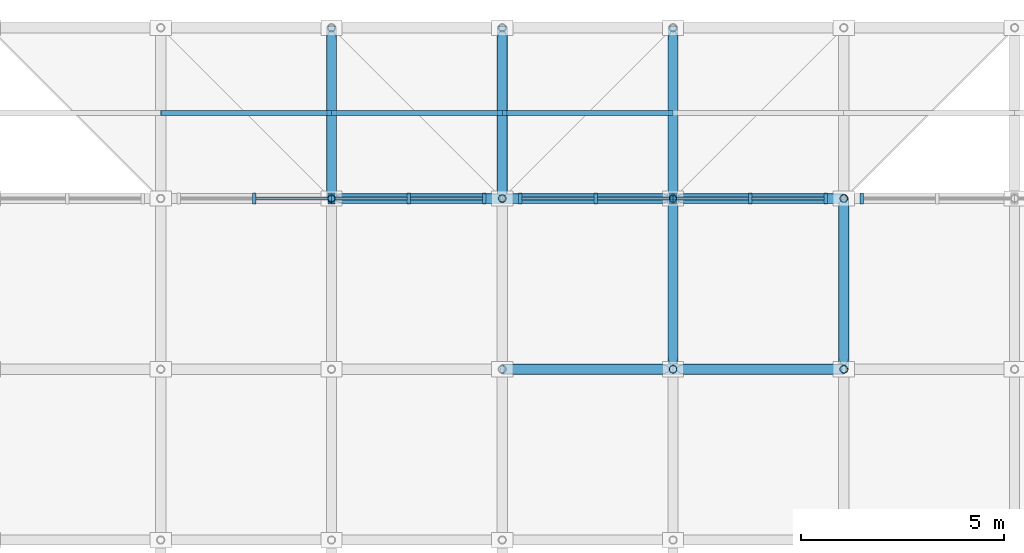
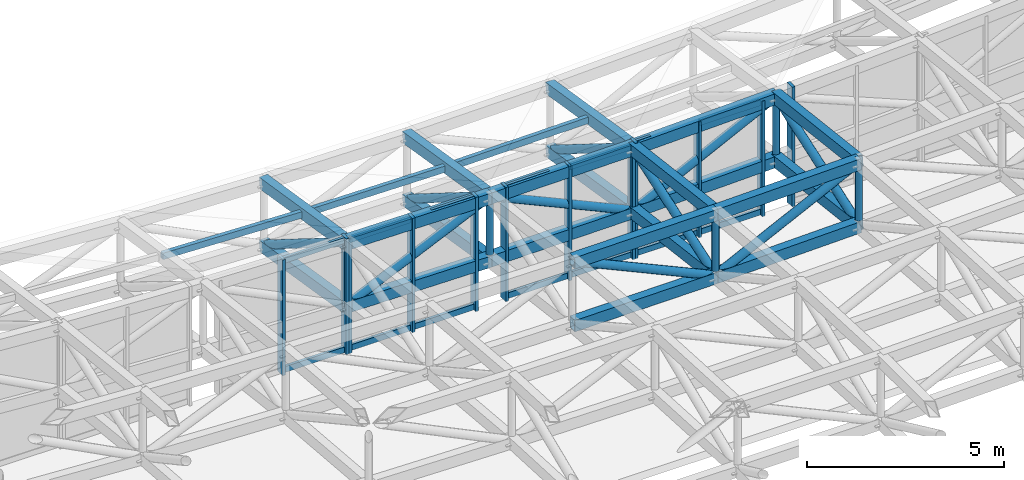
# One storey, part 52 of 111: 65 members, 5 elements without a shape of their own.
"""IFC4 building model written with IfcOpenShell, lengths in metres."""

from ifc_helpers import new_model, si_unit, direction, frame, origin, origin_2d, place, context, subcontext, project, spatial, rectangle, hollow_rectangle, hollow_circle, extrude, material, material_profile, profile_set, type_object, element, aggregate, save


model = new_model("IFC4")

# Units and contexts
model_context = context("Model", 3, precision=1e-05, world=origin(), true_north=direction((0.0, 1.0)))
body_context = subcontext(model_context, "Body", "Model", "MODEL_VIEW")
ifc_project = project(units=[si_unit("LENGTHUNIT", "METRE"), si_unit("AREAUNIT", "SQUARE_METRE"), si_unit("VOLUMEUNIT", "CUBIC_METRE"), si_unit("PLANEANGLEUNIT", "RADIAN"), si_unit("MASSUNIT", "GRAM", prefix="KILO")], contexts=[model_context])

# Site, building, storey
site_placement = place(None, origin())
site = spatial("IfcSite", under=ifc_project, at=site_placement, CompositionType="ELEMENT")
building_placement = place(site_placement, origin())
building = spatial("IfcBuilding", under=site, at=building_placement, Name="Cumbredor Promenade Congress Hotel", CompositionType="ELEMENT")
storey_placement = place(building_placement, frame((0.0, 0.0, 15.1201171875)))
storey = spatial("IfcBuildingStorey", under=building, at=storey_placement, Name="L04", CompositionType="ELEMENT", Elevation=15.1201171875)

# Curtain wall, members
ifc_material_1 = material(Name="Thermally broken anodized aluminium and low-E glass", Category="aluminium")
curtain_wall_type = type_object("IfcCurtainWallType", Name="Stepped Pavilion Clerestory Curtain Wall CW-06", PredefinedType="NOTDEFINED", material=ifc_material_1)
curtain_wall_1_placement = place(storey_placement, origin())
curtain_wall_1 = element("IfcCurtainWall", 1, at=curtain_wall_1_placement, inside=storey, type_object=curtain_wall_type, Name="Pre-Function and Breakout Meeting Forum N Glazed Clerestory 9", PredefinedType="NOTDEFINED")
ifc_material_2 = material(Name="Thermally broken anodized aluminium", Category="aluminium")
ifc_material_profile_1 = material_profile(ifc_material_2, rectangle(XDim=0.0849609375, YDim=0.260009765625, at=origin_2d()), Name="ALU MULLION CLERESTORY 85x260")
ifc_profile_set_1 = profile_set([ifc_material_profile_1], Name="Thermally broken anodized aluminium")
member_type_1 = type_object("IfcMemberType", Name="Curtain Wall Mullion ML-04", PredefinedType="MULLION", material=ifc_profile_set_1)
member_1_placement = place(storey_placement, frame((128.300048828125, 117.60009765625, -0.01806640625), z_axis=(0.0, 0.0, 1.0), x_axis=(1.0, 0.0, 0.0)))
member_1 = element("IfcMember", 2, at=member_1_placement, type_object=member_type_1, Name="Pre-Function and Breakout Meeting Forum N Glazed Clerestory 9 Mullion 2", PredefinedType="MULLION", context=body_context, shape_type="SweptSolid", body=[
    extrude(rectangle(XDim=0.0849609375, YDim=0.260009765625, at=origin_2d()), origin(), (0.0, 0.0, 1.0), 3.5888671875),
])
member_2_placement = place(storey_placement, frame((130.159912109375, 117.60009765625, -0.01806640625), z_axis=(0.0, 0.0, 1.0), x_axis=(1.0, 0.0, 0.0)))
member_2 = element("IfcMember", 3, at=member_2_placement, type_object=member_type_1, Name="Pre-Function and Breakout Meeting Forum N Glazed Clerestory 9 Mullion 3", PredefinedType="MULLION", context=body_context, shape_type="SweptSolid", body=[
    extrude(rectangle(XDim=0.0849609375, YDim=0.260009765625, at=origin_2d()), origin(), (0.0, 0.0, 1.0), 3.5888671875),
])

curtain_wall_2_placement = place(storey_placement, origin())
curtain_wall_2 = element("IfcCurtainWall", 4, at=curtain_wall_2_placement, inside=storey, type_object=curtain_wall_type, Name="Pre-Function and Breakout Meeting Forum N Glazed Clerestory 10", PredefinedType="NOTDEFINED")
member_3_placement = place(storey_placement, frame((130.239990234375, 117.60009765625, -0.01806640625), z_axis=(0.0, 0.0, 1.0), x_axis=(1.0, 0.0, 0.0)))
member_3 = element("IfcMember", 5, at=member_3_placement, type_object=member_type_1, Name="Pre-Function and Breakout Meeting Forum N Glazed Clerestory 10 Mullion 1", PredefinedType="MULLION", context=body_context, shape_type="SweptSolid", body=[
    extrude(rectangle(XDim=0.0849609375, YDim=0.260009765625, at=origin_2d()), origin(), (0.0, 0.0, 1.0), 3.546630859375),
])
member_4_placement = place(storey_placement, frame((132.10009765625, 117.60009765625, -0.01806640625), z_axis=(0.0, 0.0, 1.0), x_axis=(1.0, 0.0, 0.0)))
member_4 = element("IfcMember", 6, at=member_4_placement, type_object=member_type_1, Name="Pre-Function and Breakout Meeting Forum N Glazed Clerestory 10 Mullion 2", PredefinedType="MULLION", context=body_context, shape_type="SweptSolid", body=[
    extrude(rectangle(XDim=0.0849609375, YDim=0.260009765625, at=origin_2d()), origin(), (0.0, 0.0, 1.0), 3.546630859375),
])
member_5_placement = place(storey_placement, frame((133.9599609375, 117.60009765625, -0.01806640625), z_axis=(0.0, 0.0, 1.0), x_axis=(1.0, 0.0, 0.0)))
member_5 = element("IfcMember", 7, at=member_5_placement, type_object=member_type_1, Name="Pre-Function and Breakout Meeting Forum N Glazed Clerestory 10 Mullion 3", PredefinedType="MULLION", context=body_context, shape_type="SweptSolid", body=[
    extrude(rectangle(XDim=0.0849609375, YDim=0.260009765625, at=origin_2d()), origin(), (0.0, 0.0, 1.0), 3.546630859375),
])

curtain_wall_3_placement = place(storey_placement, origin())
curtain_wall_3 = element("IfcCurtainWall", 8, at=curtain_wall_3_placement, inside=storey, type_object=curtain_wall_type, Name="Pre-Function and Breakout Meeting Forum N Glazed Clerestory 11", PredefinedType="NOTDEFINED")
member_6_placement = place(storey_placement, frame((134.840087890625, 117.60009765625, -0.01806640625), z_axis=(0.0, 0.0, 1.0), x_axis=(1.0, 0.0, 0.0)))
member_6 = element("IfcMember", 9, at=member_6_placement, type_object=member_type_1, Name="Pre-Function and Breakout Meeting Forum N Glazed Clerestory 11 Mullion 1", PredefinedType="MULLION", context=body_context, shape_type="SweptSolid", body=[
    extrude(rectangle(XDim=0.0849609375, YDim=0.260009765625, at=origin_2d()), origin(), (0.0, 0.0, 1.0), 3.546630859375),
])
member_7_placement = place(storey_placement, frame((136.699951171875, 117.60009765625, -0.01806640625), z_axis=(0.0, 0.0, 1.0), x_axis=(1.0, 0.0, 0.0)))
member_7 = element("IfcMember", 10, at=member_7_placement, type_object=member_type_1, Name="Pre-Function and Breakout Meeting Forum N Glazed Clerestory 11 Mullion 2", PredefinedType="MULLION", context=body_context, shape_type="SweptSolid", body=[
    extrude(rectangle(XDim=0.0849609375, YDim=0.260009765625, at=origin_2d()), origin(), (0.0, 0.0, 1.0), 3.546630859375),
])
member_8_placement = place(storey_placement, frame((138.56005859375, 117.60009765625, -0.01806640625), z_axis=(0.0, 0.0, 1.0), x_axis=(1.0, 0.0, 0.0)))
member_8 = element("IfcMember", 11, at=member_8_placement, type_object=member_type_1, Name="Pre-Function and Breakout Meeting Forum N Glazed Clerestory 11 Mullion 3", PredefinedType="MULLION", context=body_context, shape_type="SweptSolid", body=[
    extrude(rectangle(XDim=0.0849609375, YDim=0.260009765625, at=origin_2d()), origin(), (0.0, 0.0, 1.0), 3.546630859375),
])

curtain_wall_4_placement = place(storey_placement, origin())
curtain_wall_4 = element("IfcCurtainWall", 12, at=curtain_wall_4_placement, inside=storey, type_object=curtain_wall_type, Name="Pre-Function and Breakout Meeting Forum N Glazed Clerestory 12", PredefinedType="NOTDEFINED")
member_9_placement = place(storey_placement, frame((138.639892578125, 117.60009765625, -0.01806640625), z_axis=(0.0, 0.0, 1.0), x_axis=(1.0, 0.0, 0.0)))
member_9 = element("IfcMember", 13, at=member_9_placement, type_object=member_type_1, Name="Pre-Function and Breakout Meeting Forum N Glazed Clerestory 12 Mullion 1", PredefinedType="MULLION", context=body_context, shape_type="SweptSolid", body=[
    extrude(rectangle(XDim=0.0849609375, YDim=0.260009765625, at=origin_2d()), origin(), (0.0, 0.0, 1.0), 3.5888671875),
])
member_10_placement = place(storey_placement, frame((140.5, 117.60009765625, -0.01806640625), z_axis=(0.0, 0.0, 1.0), x_axis=(1.0, 0.0, 0.0)))
member_10 = element("IfcMember", 14, at=member_10_placement, type_object=member_type_1, Name="Pre-Function and Breakout Meeting Forum N Glazed Clerestory 12 Mullion 2", PredefinedType="MULLION", context=body_context, shape_type="SweptSolid", body=[
    extrude(rectangle(XDim=0.0849609375, YDim=0.260009765625, at=origin_2d()), origin(), (0.0, 0.0, 1.0), 3.5888671875),
])
member_11_placement = place(storey_placement, frame((142.360107421875, 117.60009765625, -0.01806640625), z_axis=(0.0, 0.0, 1.0), x_axis=(1.0, 0.0, 0.0)))
member_11 = element("IfcMember", 15, at=member_11_placement, type_object=member_type_1, Name="Pre-Function and Breakout Meeting Forum N Glazed Clerestory 12 Mullion 3", PredefinedType="MULLION", context=body_context, shape_type="SweptSolid", body=[
    extrude(rectangle(XDim=0.0849609375, YDim=0.260009765625, at=origin_2d()), origin(), (0.0, 0.0, 1.0), 3.5888671875),
])

# Curtain wall, member
curtain_wall_5_placement = place(storey_placement, origin())
curtain_wall_5 = element("IfcCurtainWall", 16, at=curtain_wall_5_placement, inside=storey, type_object=curtain_wall_type, Name="Pre-Function and Breakout Meeting Forum N Glazed Clerestory 13", PredefinedType="NOTDEFINED")
member_12_placement = place(storey_placement, frame((143.239990234375, 117.60009765625, -0.01806640625), z_axis=(0.0, 0.0, 1.0), x_axis=(1.0, 0.0, 0.0)))
member_12 = element("IfcMember", 17, at=member_12_placement, type_object=member_type_1, Name="Pre-Function and Breakout Meeting Forum N Glazed Clerestory 13 Mullion 1", PredefinedType="MULLION", context=body_context, shape_type="SweptSolid", body=[
    extrude(rectangle(XDim=0.0849609375, YDim=0.260009765625, at=origin_2d()), origin(), (0.0, 0.0, 1.0), 3.71533203125),
])
aggregate(curtain_wall_5, [member_12])

# Member
ifc_material_profile_2 = material_profile(ifc_material_2, rectangle(XDim=0.080078125, YDim=0.179931640625, at=origin_2d()), Name="ALU TRANSOM 80x180")
ifc_profile_set_2 = profile_set([ifc_material_profile_2], Name="Thermally broken anodized aluminium")
member_type_2 = type_object("IfcMemberType", Name="Curtain Wall Transom TR-03", PredefinedType="USERDEFINED", material=ifc_profile_set_2)
member_13_placement = place(storey_placement, frame((128.342529296875, 117.60009765625, 0.079833984375), z_axis=(1.0, 0.0, 0.0), x_axis=(0.0, 1.0, 0.0)))
member_13 = element("IfcMember", 18, at=member_13_placement, type_object=member_type_2, Name="Pre-Function and Breakout Meeting Forum N Glazed Clerestory 9 Transom 2.1", ObjectType="TRANSOM", PredefinedType="USERDEFINED", context=body_context, shape_type="SweptSolid", body=[
    extrude(rectangle(XDim=0.080078125, YDim=0.179931640625, at=origin_2d()), origin(), (0.0, 0.0, 1.0), 1.77490234375),
])

member_14_placement = place(storey_placement, frame((128.342529296875, 117.60009765625, 3.469970703125), z_axis=(1.0, 0.0, 0.0), x_axis=(0.0, 1.0, 0.0)))
member_14 = element("IfcMember", 19, at=member_14_placement, type_object=member_type_2, Name="Pre-Function and Breakout Meeting Forum N Glazed Clerestory 9 Transom 2.2", ObjectType="TRANSOM", PredefinedType="USERDEFINED", context=body_context, shape_type="SweptSolid", body=[
    extrude(rectangle(XDim=0.080078125, YDim=0.179931640625, at=origin_2d()), origin(), (0.0, 0.0, 1.0), 1.77490234375),
])

aggregate(curtain_wall_1, [member_1, member_2, member_13, member_14])

member_15_placement = place(storey_placement, frame((130.282470703125, 117.60009765625, 0.079833984375), z_axis=(1.0, 0.0, 0.0), x_axis=(0.0, 1.0, 0.0)))
member_15 = element("IfcMember", 20, at=member_15_placement, type_object=member_type_2, Name="Pre-Function and Breakout Meeting Forum N Glazed Clerestory 10 Transom 1.1", ObjectType="TRANSOM", PredefinedType="USERDEFINED", context=body_context, shape_type="SweptSolid", body=[
    extrude(rectangle(XDim=0.080078125, YDim=0.179931640625, at=origin_2d()), origin(), (0.0, 0.0, 1.0), 1.775146484375),
])

member_16_placement = place(storey_placement, frame((130.282470703125, 117.60009765625, 3.429931640625), z_axis=(1.0, 0.0, 0.0), x_axis=(0.0, 1.0, 0.0)))
member_16 = element("IfcMember", 21, at=member_16_placement, type_object=member_type_2, Name="Pre-Function and Breakout Meeting Forum N Glazed Clerestory 10 Transom 1.2", ObjectType="TRANSOM", PredefinedType="USERDEFINED", context=body_context, shape_type="SweptSolid", body=[
    extrude(rectangle(XDim=0.080078125, YDim=0.179931640625, at=origin_2d()), origin(), (0.0, 0.0, 1.0), 1.775146484375),
])

member_17_placement = place(storey_placement, frame((132.142578125, 117.60009765625, 0.079833984375), z_axis=(1.0, 0.0, 0.0), x_axis=(0.0, 1.0, 0.0)))
member_17 = element("IfcMember", 22, at=member_17_placement, type_object=member_type_2, Name="Pre-Function and Breakout Meeting Forum N Glazed Clerestory 10 Transom 2.1", ObjectType="TRANSOM", PredefinedType="USERDEFINED", context=body_context, shape_type="SweptSolid", body=[
    extrude(rectangle(XDim=0.080078125, YDim=0.179931640625, at=origin_2d()), origin(), (0.0, 0.0, 1.0), 1.77490234375),
])

member_18_placement = place(storey_placement, frame((132.142578125, 117.60009765625, 3.429931640625), z_axis=(1.0, 0.0, 0.0), x_axis=(0.0, 1.0, 0.0)))
member_18 = element("IfcMember", 23, at=member_18_placement, type_object=member_type_2, Name="Pre-Function and Breakout Meeting Forum N Glazed Clerestory 10 Transom 2.2", ObjectType="TRANSOM", PredefinedType="USERDEFINED", context=body_context, shape_type="SweptSolid", body=[
    extrude(rectangle(XDim=0.080078125, YDim=0.179931640625, at=origin_2d()), origin(), (0.0, 0.0, 1.0), 1.77490234375),
])

aggregate(curtain_wall_2, [member_3, member_4, member_5, member_15, member_16, member_17, member_18])

member_19_placement = place(storey_placement, frame((134.882568359375, 117.60009765625, 0.079833984375), z_axis=(1.0, 0.0, 0.0), x_axis=(0.0, 1.0, 0.0)))
member_19 = element("IfcMember", 24, at=member_19_placement, type_object=member_type_2, Name="Pre-Function and Breakout Meeting Forum N Glazed Clerestory 11 Transom 1.1", ObjectType="TRANSOM", PredefinedType="USERDEFINED", context=body_context, shape_type="SweptSolid", body=[
    extrude(rectangle(XDim=0.080078125, YDim=0.179931640625, at=origin_2d()), origin(), (0.0, 0.0, 1.0), 1.77490234375),
])

member_20_placement = place(storey_placement, frame((134.882568359375, 117.60009765625, 3.429931640625), z_axis=(1.0, 0.0, 0.0), x_axis=(0.0, 1.0, 0.0)))
member_20 = element("IfcMember", 25, at=member_20_placement, type_object=member_type_2, Name="Pre-Function and Breakout Meeting Forum N Glazed Clerestory 11 Transom 1.2", ObjectType="TRANSOM", PredefinedType="USERDEFINED", context=body_context, shape_type="SweptSolid", body=[
    extrude(rectangle(XDim=0.080078125, YDim=0.179931640625, at=origin_2d()), origin(), (0.0, 0.0, 1.0), 1.77490234375),
])

member_21_placement = place(storey_placement, frame((136.742431640625, 117.60009765625, 0.079833984375), z_axis=(1.0, 0.0, 0.0), x_axis=(0.0, 1.0, 0.0)))
member_21 = element("IfcMember", 26, at=member_21_placement, type_object=member_type_2, Name="Pre-Function and Breakout Meeting Forum N Glazed Clerestory 11 Transom 2.1", ObjectType="TRANSOM", PredefinedType="USERDEFINED", context=body_context, shape_type="SweptSolid", body=[
    extrude(rectangle(XDim=0.080078125, YDim=0.179931640625, at=origin_2d()), origin(), (0.0, 0.0, 1.0), 1.775146484375),
])

member_22_placement = place(storey_placement, frame((136.742431640625, 117.60009765625, 3.429931640625), z_axis=(1.0, 0.0, 0.0), x_axis=(0.0, 1.0, 0.0)))
member_22 = element("IfcMember", 27, at=member_22_placement, type_object=member_type_2, Name="Pre-Function and Breakout Meeting Forum N Glazed Clerestory 11 Transom 2.2", ObjectType="TRANSOM", PredefinedType="USERDEFINED", context=body_context, shape_type="SweptSolid", body=[
    extrude(rectangle(XDim=0.080078125, YDim=0.179931640625, at=origin_2d()), origin(), (0.0, 0.0, 1.0), 1.775146484375),
])

aggregate(curtain_wall_3, [member_6, member_7, member_8, member_19, member_20, member_21, member_22])

member_23_placement = place(storey_placement, frame((138.6826171875, 117.60009765625, 0.079833984375), z_axis=(1.0, 0.0, 0.0), x_axis=(0.0, 1.0, 0.0)))
member_23 = element("IfcMember", 28, at=member_23_placement, type_object=member_type_2, Name="Pre-Function and Breakout Meeting Forum N Glazed Clerestory 12 Transom 1.1", ObjectType="TRANSOM", PredefinedType="USERDEFINED", context=body_context, shape_type="SweptSolid", body=[
    extrude(rectangle(XDim=0.080078125, YDim=0.179931640625, at=origin_2d()), origin(), (0.0, 0.0, 1.0), 1.77490234375),
])

member_24_placement = place(storey_placement, frame((138.6826171875, 117.60009765625, 3.469970703125), z_axis=(1.0, 0.0, 0.0), x_axis=(0.0, 1.0, 0.0)))
member_24 = element("IfcMember", 29, at=member_24_placement, type_object=member_type_2, Name="Pre-Function and Breakout Meeting Forum N Glazed Clerestory 12 Transom 1.2", ObjectType="TRANSOM", PredefinedType="USERDEFINED", context=body_context, shape_type="SweptSolid", body=[
    extrude(rectangle(XDim=0.080078125, YDim=0.179931640625, at=origin_2d()), origin(), (0.0, 0.0, 1.0), 1.77490234375),
])

member_25_placement = place(storey_placement, frame((140.54248046875, 117.60009765625, 0.079833984375), z_axis=(1.0, 0.0, 0.0), x_axis=(0.0, 1.0, 0.0)))
member_25 = element("IfcMember", 30, at=member_25_placement, type_object=member_type_2, Name="Pre-Function and Breakout Meeting Forum N Glazed Clerestory 12 Transom 2.1", ObjectType="TRANSOM", PredefinedType="USERDEFINED", context=body_context, shape_type="SweptSolid", body=[
    extrude(rectangle(XDim=0.080078125, YDim=0.179931640625, at=origin_2d()), origin(), (0.0, 0.0, 1.0), 1.77490234375),
])

member_26_placement = place(storey_placement, frame((140.54248046875, 117.60009765625, 3.469970703125), z_axis=(1.0, 0.0, 0.0), x_axis=(0.0, 1.0, 0.0)))
member_26 = element("IfcMember", 31, at=member_26_placement, type_object=member_type_2, Name="Pre-Function and Breakout Meeting Forum N Glazed Clerestory 12 Transom 2.2", ObjectType="TRANSOM", PredefinedType="USERDEFINED", context=body_context, shape_type="SweptSolid", body=[
    extrude(rectangle(XDim=0.080078125, YDim=0.179931640625, at=origin_2d()), origin(), (0.0, 0.0, 1.0), 1.77490234375),
])

aggregate(curtain_wall_4, [member_9, member_10, member_11, member_23, member_24, member_25, member_26])

# Members
ifc_material_3 = material(Name="Steel ASTM A500 Grade C", Category="steel")
ifc_material_profile_3 = material_profile(ifc_material_3, hollow_rectangle(XDim=0.25, YDim=0.35009765625, WallThickness=0.01611328125, at=origin_2d()), Name="HSS 350x250x16")
ifc_profile_set_3 = profile_set([ifc_material_profile_3], Name="Steel ASTM A500 Grade C")
member_type_3 = type_object("IfcMemberType", Name="Forum Roof Truss Chord", PredefinedType="CHORD", material=ifc_profile_set_3)
for number, where, z_axis, x_axis, name in (
    (32, (134.39990234375, 113.39990234375, 3.86083984375), (0.999967362305, 0.0, 0.008079252695), (0.0, 1.0, 0.0), "Pre-Function and Breakout Meeting Forum X Top Chord 12.9"),
    (33, (134.39990234375, 113.39990234375, 1.910888671875), (0.999967362305, 0.0, 0.008079252695), (0.0, 1.0, 0.0), "Pre-Function and Breakout Meeting Forum X Bottom Chord 12.9"),
):
    element("IfcMember", number, at=place(storey_placement, frame(where, z_axis=z_axis, x_axis=x_axis)), inside=storey, type_object=member_type_3, Name=name, PredefinedType="CHORD", context=body_context, shape_type="SweptSolid", body=[
        extrude(hollow_rectangle(XDim=0.25, YDim=0.35009765625, WallThickness=0.01611328125, at=origin_2d()), origin(), (0.0, 0.0, 1.0), 4.200439453125),
    ])
for number, where, z_axis, x_axis, name in (
    (34, (138.60009765625, 113.39990234375, 3.894775390625), (0.999709150504, 0.0, 0.024116682989), (0.0, 1.0, 0.0), "Pre-Function and Breakout Meeting Forum X Top Chord 13.9"),
    (35, (138.60009765625, 113.39990234375, 1.94482421875), (0.999709150504, 0.0, 0.024116682989), (0.0, 1.0, 0.0), "Pre-Function and Breakout Meeting Forum X Bottom Chord 13.9"),
):
    element("IfcMember", number, at=place(storey_placement, frame(where, z_axis=z_axis, x_axis=x_axis)), inside=storey, type_object=member_type_3, Name=name, PredefinedType="CHORD", context=body_context, shape_type="SweptSolid", body=[
        extrude(hollow_rectangle(XDim=0.25, YDim=0.35009765625, WallThickness=0.01611328125, at=origin_2d()), origin(), (0.0, 0.0, 1.0), 4.201171875),
    ])
for number, where, z_axis, x_axis, name in (
    (36, (130.199951171875, 117.60009765625, 3.36962890625), (0.999950021184, 0.0, -0.009997756417), (0.0, 1.0, 0.0), "Pre-Function and Breakout Meeting Forum X Top Chord 11.10"),
    (37, (130.199951171875, 117.60009765625, 1.419677734375), (0.999950021184, 0.0, -0.009997756417), (0.0, 1.0, 0.0), "Pre-Function and Breakout Meeting Forum X Bottom Chord 11.10"),
):
    element("IfcMember", number, at=place(storey_placement, frame(where, z_axis=z_axis, x_axis=x_axis)), inside=storey, type_object=member_type_3, Name=name, PredefinedType="CHORD", context=body_context, shape_type="SweptSolid", body=[
        extrude(hollow_rectangle(XDim=0.25, YDim=0.35009765625, WallThickness=0.01611328125, at=origin_2d()), origin(), (0.0, 0.0, 1.0), 4.2001953125),
    ])
for number, where, z_axis, x_axis, name in (
    (38, (134.39990234375, 117.60009765625, 3.32763671875), (0.999950026994, 0.0, 0.009997175345), (0.0, 1.0, 0.0), "Pre-Function and Breakout Meeting Forum X Top Chord 12.10"),
    (39, (134.39990234375, 117.60009765625, 1.377685546875), (0.999950026994, 0.0, 0.009997175345), (0.0, 1.0, 0.0), "Pre-Function and Breakout Meeting Forum X Bottom Chord 12.10"),
):
    element("IfcMember", number, at=place(storey_placement, frame(where, z_axis=z_axis, x_axis=x_axis)), inside=storey, type_object=member_type_3, Name=name, PredefinedType="CHORD", context=body_context, shape_type="SweptSolid", body=[
        extrude(hollow_rectangle(XDim=0.25, YDim=0.35009765625, WallThickness=0.01611328125, at=origin_2d()), origin(), (0.0, 0.0, 1.0), 4.200439453125),
    ])
for number, where, z_axis, x_axis, name in (
    (40, (138.60009765625, 117.60009765625, 3.36962890625), (0.999546971061, 0.0, 0.03009738598), (0.0, 1.0, 0.0), "Pre-Function and Breakout Meeting Forum X Top Chord 13.10"),
    (41, (138.60009765625, 117.60009765625, 1.419677734375), (0.999546971061, 0.0, 0.03009738598), (0.0, 1.0, 0.0), "Pre-Function and Breakout Meeting Forum X Bottom Chord 13.10"),
):
    element("IfcMember", number, at=place(storey_placement, frame(where, z_axis=z_axis, x_axis=x_axis)), inside=storey, type_object=member_type_3, Name=name, PredefinedType="CHORD", context=body_context, shape_type="SweptSolid", body=[
        extrude(hollow_rectangle(XDim=0.25, YDim=0.35009765625, WallThickness=0.01611328125, at=origin_2d()), origin(), (0.0, 0.0, 1.0), 4.201904296875),
    ])
for number, where, z_axis, x_axis, name in (
    (42, (130.199951171875, 117.60009765625, 3.36962890625), (0.0, 0.987391156385, -0.158299413434), (-1.0, 0.0, 0.0), "Pre-Function and Breakout Meeting Forum Y Top Chord 11.10"),
    (43, (130.199951171875, 117.60009765625, 1.419677734375), (0.0, 0.987391156385, -0.158299413434), (-1.0, 0.0, 0.0), "Pre-Function and Breakout Meeting Forum Y Bottom Chord 11.10"),
):
    element("IfcMember", number, at=place(storey_placement, frame(where, z_axis=z_axis, x_axis=x_axis)), inside=storey, type_object=member_type_3, Name=name, PredefinedType="CHORD", context=body_context, shape_type="SweptSolid", body=[
        extrude(hollow_rectangle(XDim=0.25, YDim=0.35009765625, WallThickness=0.01611328125, at=origin_2d()), origin(), (0.0, 0.0, 1.0), 4.253662109375),
    ])
for number, where, z_axis, x_axis, name in (
    (44, (134.39990234375, 117.60009765625, 3.32763671875), (0.0, 0.986993512432, -0.160760089626), (-1.0, 0.0, 0.0), "Pre-Function and Breakout Meeting Forum Y Top Chord 12.10"),
    (45, (134.39990234375, 117.60009765625, 1.377685546875), (0.0, 0.986993512432, -0.160760089626), (-1.0, 0.0, 0.0), "Pre-Function and Breakout Meeting Forum Y Bottom Chord 12.10"),
):
    element("IfcMember", number, at=place(storey_placement, frame(where, z_axis=z_axis, x_axis=x_axis)), inside=storey, type_object=member_type_3, Name=name, PredefinedType="CHORD", context=body_context, shape_type="SweptSolid", body=[
        extrude(hollow_rectangle(XDim=0.25, YDim=0.35009765625, WallThickness=0.01611328125, at=origin_2d()), origin(), (0.0, 0.0, 1.0), 4.25537109375),
    ])
for number, where, z_axis, x_axis, name in (
    (46, (138.60009765625, 113.39990234375, 3.894775390625), (0.0, 0.992274326956, -0.124063129347), (-1.0, 0.0, 0.0), "Pre-Function and Breakout Meeting Forum Y Top Chord 13.9"),
    (47, (138.60009765625, 113.39990234375, 1.94482421875), (0.0, 0.992274326956, -0.124063129347), (-1.0, 0.0, 0.0), "Pre-Function and Breakout Meeting Forum Y Bottom Chord 13.9"),
):
    element("IfcMember", number, at=place(storey_placement, frame(where, z_axis=z_axis, x_axis=x_axis)), inside=storey, type_object=member_type_3, Name=name, PredefinedType="CHORD", context=body_context, shape_type="SweptSolid", body=[
        extrude(hollow_rectangle(XDim=0.25, YDim=0.35009765625, WallThickness=0.01611328125, at=origin_2d()), origin(), (0.0, 0.0, 1.0), 4.23291015625),
    ])
for number, where, z_axis, x_axis, name in (
    (48, (138.60009765625, 117.60009765625, 3.36962890625), (0.0, 0.987391156385, -0.158299413434), (-1.0, 0.0, 0.0), "Pre-Function and Breakout Meeting Forum Y Top Chord 13.10"),
    (49, (138.60009765625, 117.60009765625, 1.419677734375), (0.0, 0.987391156385, -0.158299413434), (-1.0, 0.0, 0.0), "Pre-Function and Breakout Meeting Forum Y Bottom Chord 13.10"),
):
    element("IfcMember", number, at=place(storey_placement, frame(where, z_axis=z_axis, x_axis=x_axis)), inside=storey, type_object=member_type_3, Name=name, PredefinedType="CHORD", context=body_context, shape_type="SweptSolid", body=[
        extrude(hollow_rectangle(XDim=0.25, YDim=0.35009765625, WallThickness=0.01611328125, at=origin_2d()), origin(), (0.0, 0.0, 1.0), 4.253662109375),
    ])
for number, where, z_axis, x_axis, name in (
    (50, (142.800048828125, 113.39990234375, 3.99609375), (0.0, 0.99298891944, -0.118207469601), (-1.0, 0.0, 0.0), "Pre-Function and Breakout Meeting Forum Y Top Chord 14.9"),
    (51, (142.800048828125, 113.39990234375, 2.046142578125), (0.0, 0.99298891944, -0.118207469601), (-1.0, 0.0, 0.0), "Pre-Function and Breakout Meeting Forum Y Bottom Chord 14.9"),
):
    element("IfcMember", number, at=place(storey_placement, frame(where, z_axis=z_axis, x_axis=x_axis)), inside=storey, type_object=member_type_3, Name=name, PredefinedType="CHORD", context=body_context, shape_type="SweptSolid", body=[
        extrude(hollow_rectangle(XDim=0.25, YDim=0.35009765625, WallThickness=0.01611328125, at=origin_2d()), origin(), (0.0, 0.0, 1.0), 4.229736328125),
    ])
ifc_material_profile_4 = material_profile(ifc_material_3, hollow_rectangle(XDim=0.1201171875, YDim=0.199951171875, WallThickness=0.010009765625, at=origin_2d()), Name="HSS 200x120x10")
ifc_profile_set_4 = profile_set([ifc_material_profile_4], Name="Steel ASTM A500 Grade C")
member_type_4 = type_object("IfcMemberType", Name="Roof Purlin HSS200x120", PredefinedType="PURLIN", material=ifc_profile_set_4)
member_27_placement = place(storey_placement, frame((126.0, 119.699951171875, 3.155517578125), z_axis=(0.999426247166, 0.0, -0.033869993728), x_axis=(0.0, 1.0, 0.0)))
element("IfcMember", 52, at=member_27_placement, inside=storey, type_object=member_type_4, Name="Pre-Function and Breakout Meeting Forum Roof Eave Purlin 10.10", PredefinedType="PURLIN", context=body_context, shape_type="SweptSolid", body=[
    extrude(hollow_rectangle(XDim=0.1201171875, YDim=0.199951171875, WallThickness=0.010009765625, at=origin_2d()), origin(), (0.0, 0.0, 1.0), 4.202392578125),
])
member_28_placement = place(storey_placement, frame((130.199951171875, 119.699951171875, 3.01318359375), z_axis=(0.999935762445, 0.0, -0.011334504079), x_axis=(0.0, 1.0, 0.0)))
element("IfcMember", 53, at=member_28_placement, inside=storey, type_object=member_type_4, Name="Pre-Function and Breakout Meeting Forum Roof Eave Purlin 11.10", PredefinedType="PURLIN", context=body_context, shape_type="SweptSolid", body=[
    extrude(hollow_rectangle(XDim=0.1201171875, YDim=0.199951171875, WallThickness=0.010009765625, at=origin_2d()), origin(), (0.0, 0.0, 1.0), 4.2001953125),
])
member_29_placement = place(storey_placement, frame((134.39990234375, 119.699951171875, 2.965576171875), z_axis=(0.999935769912, 0.0, 0.011333845334), x_axis=(0.0, 1.0, 0.0)))
element("IfcMember", 54, at=member_29_placement, inside=storey, type_object=member_type_4, Name="Pre-Function and Breakout Meeting Forum Roof Eave Purlin 12.10", PredefinedType="PURLIN", context=body_context, shape_type="SweptSolid", body=[
    extrude(hollow_rectangle(XDim=0.1201171875, YDim=0.199951171875, WallThickness=0.010009765625, at=origin_2d()), origin(), (0.0, 0.0, 1.0), 4.200439453125),
])
ifc_material_profile_5 = material_profile(ifc_material_3, hollow_circle(Radius=0.122314453125, WallThickness=0.012451171875, at=origin_2d()), Name="CHS 244.5x12.5")
ifc_profile_set_5 = profile_set([ifc_material_profile_5], Name="Steel ASTM A500 Grade C")
member_type_5 = type_object("IfcMemberType", Name="Space Frame Web Diagonal D2", PredefinedType="BRACE", material=ifc_profile_set_5)
member_30_placement = place(storey_placement, frame((134.39990234375, 113.39990234375, 3.86083984375), z_axis=(0.909807838005, 0.0, -0.415029755444), x_axis=(0.0, 1.0, 0.0)))
element("IfcMember", 55, at=member_30_placement, inside=storey, type_object=member_type_5, Name="Pre-Function and Breakout Meeting Forum X Web Diagonal 12.9", PredefinedType="BRACE", context=body_context, shape_type="SweptSolid", body=[
    extrude(hollow_circle(Radius=0.122314453125, WallThickness=0.012451171875, at=origin_2d()), origin(), (0.0, 0.0, 1.0), 4.616455078125),
])
member_31_placement = place(storey_placement, frame((138.60009765625, 113.39990234375, 1.94482421875), z_axis=(0.89855649897, 0.0, 0.43885785644), x_axis=(0.0, 1.0, 0.0)))
element("IfcMember", 56, at=member_31_placement, inside=storey, type_object=member_type_5, Name="Pre-Function and Breakout Meeting Forum X Web Diagonal 13.9", PredefinedType="BRACE", context=body_context, shape_type="SweptSolid", body=[
    extrude(hollow_circle(Radius=0.122314453125, WallThickness=0.012451171875, at=origin_2d()), origin(), (0.0, 0.0, 1.0), 4.674072265625),
])
member_32_placement = place(storey_placement, frame((130.199951171875, 117.60009765625, 1.419677734375), z_axis=(0.910457079467, 0.0, 0.413603561939), x_axis=(0.0, 1.0, 0.0)))
element("IfcMember", 57, at=member_32_placement, inside=storey, type_object=member_type_5, Name="Pre-Function and Breakout Meeting Forum X Web Diagonal 11.10", PredefinedType="BRACE", context=body_context, shape_type="SweptSolid", body=[
    extrude(hollow_circle(Radius=0.122314453125, WallThickness=0.012451171875, at=origin_2d()), origin(), (0.0, 0.0, 1.0), 4.613037109375),
])
member_33_placement = place(storey_placement, frame((134.39990234375, 117.60009765625, 3.32763671875), z_axis=(0.910466132465, 0.0, -0.413583633179), x_axis=(0.0, 1.0, 0.0)))
element("IfcMember", 58, at=member_33_placement, inside=storey, type_object=member_type_5, Name="Pre-Function and Breakout Meeting Forum X Web Diagonal 12.10", PredefinedType="BRACE", context=body_context, shape_type="SweptSolid", body=[
    extrude(hollow_circle(Radius=0.122314453125, WallThickness=0.012451171875, at=origin_2d()), origin(), (0.0, 0.0, 1.0), 4.61328125),
])
member_34_placement = place(storey_placement, frame((138.60009765625, 117.60009765625, 1.419677734375), z_axis=(0.89642954825, 0.0, 0.443186264481), x_axis=(0.0, 1.0, 0.0)))
element("IfcMember", 59, at=member_34_placement, inside=storey, type_object=member_type_5, Name="Pre-Function and Breakout Meeting Forum X Web Diagonal 13.10", PredefinedType="BRACE", context=body_context, shape_type="SweptSolid", body=[
    extrude(hollow_circle(Radius=0.122314453125, WallThickness=0.012451171875, at=origin_2d()), origin(), (0.0, 0.0, 1.0), 4.685302734375),
])
member_35_placement = place(storey_placement, frame((130.199951171875, 117.60009765625, 3.36962890625), z_axis=(0.0, 0.848150608107, -0.529755175499), x_axis=(-1.0, 0.0, 0.0)))
element("IfcMember", 60, at=member_35_placement, inside=storey, type_object=member_type_5, Name="Pre-Function and Breakout Meeting Forum Y Web Diagonal 11.10", PredefinedType="BRACE", context=body_context, shape_type="SweptSolid", body=[
    extrude(hollow_circle(Radius=0.122314453125, WallThickness=0.012451171875, at=origin_2d()), origin(), (0.0, 0.0, 1.0), 4.951904296875),
])
member_36_placement = place(storey_placement, frame((134.39990234375, 117.60009765625, 3.32763671875), z_axis=(0.0, 0.847175599244, -0.531313000072), x_axis=(-1.0, 0.0, 0.0)))
element("IfcMember", 61, at=member_36_placement, inside=storey, type_object=member_type_5, Name="Pre-Function and Breakout Meeting Forum Y Web Diagonal 12.10", PredefinedType="BRACE", context=body_context, shape_type="SweptSolid", body=[
    extrude(hollow_circle(Radius=0.122314453125, WallThickness=0.012451171875, at=origin_2d()), origin(), (0.0, 0.0, 1.0), 4.95751953125),
])
member_37_placement = place(storey_placement, frame((138.60009765625, 113.39990234375, 1.94482421875), z_axis=(0.0, 0.946996643209, 0.321243455578), x_axis=(-1.0, 0.0, 0.0)))
element("IfcMember", 62, at=member_37_placement, inside=storey, type_object=member_type_5, Name="Pre-Function and Breakout Meeting Forum Y Web Diagonal 13.9", PredefinedType="BRACE", context=body_context, shape_type="SweptSolid", body=[
    extrude(hollow_circle(Radius=0.122314453125, WallThickness=0.012451171875, at=origin_2d()), origin(), (0.0, 0.0, 1.0), 4.435302734375),
])
member_38_placement = place(storey_placement, frame((138.60009765625, 117.60009765625, 3.36962890625), z_axis=(0.0, 0.848150608107, -0.529755175499), x_axis=(-1.0, 0.0, 0.0)))
element("IfcMember", 63, at=member_38_placement, inside=storey, type_object=member_type_5, Name="Pre-Function and Breakout Meeting Forum Y Web Diagonal 13.10", PredefinedType="BRACE", context=body_context, shape_type="SweptSolid", body=[
    extrude(hollow_circle(Radius=0.122314453125, WallThickness=0.012451171875, at=origin_2d()), origin(), (0.0, 0.0, 1.0), 4.951904296875),
])
member_39_placement = place(storey_placement, frame((142.800048828125, 113.39990234375, 2.046142578125), z_axis=(0.0, 0.945261402845, 0.326314082277), x_axis=(-1.0, 0.0, 0.0)))
element("IfcMember", 64, at=member_39_placement, inside=storey, type_object=member_type_5, Name="Pre-Function and Breakout Meeting Forum Y Web Diagonal 14.9", PredefinedType="BRACE", context=body_context, shape_type="SweptSolid", body=[
    extrude(hollow_circle(Radius=0.122314453125, WallThickness=0.012451171875, at=origin_2d()), origin(), (0.0, 0.0, 1.0), 4.443359375),
])
ifc_material_profile_6 = material_profile(ifc_material_3, hollow_circle(Radius=0.096923828125, WallThickness=0.010009765625, at=origin_2d()), Name="CHS 193.7x10")
ifc_profile_set_6 = profile_set([ifc_material_profile_6], Name="Steel ASTM A500 Grade C")
member_type_6 = type_object("IfcMemberType", Name="Space Frame Web Post P1", PredefinedType="BRACE", material=ifc_profile_set_6)
for number, where, z_axis, x_axis, name in (
    (65, (130.199951171875, 117.60009765625, 1.419677734375), (0.0, 0.0, 1.0), (1.0, 0.0, 0.0), "Pre-Function and Breakout Meeting Forum Space Frame Web Post 11.10"),
    (66, (134.39990234375, 117.60009765625, 1.377685546875), (0.0, 0.0, 1.0), (1.0, 0.0, 0.0), "Pre-Function and Breakout Meeting Forum Space Frame Web Post 12.10"),
    (67, (138.60009765625, 113.39990234375, 1.94482421875), (0.0, 0.0, 1.0), (1.0, 0.0, 0.0), "Pre-Function and Breakout Meeting Forum Space Frame Web Post 13.9"),
    (68, (138.60009765625, 117.60009765625, 1.419677734375), (0.0, 0.0, 1.0), (1.0, 0.0, 0.0), "Pre-Function and Breakout Meeting Forum Space Frame Web Post 13.10"),
    (69, (142.800048828125, 113.39990234375, 2.046142578125), (0.0, 0.0, 1.0), (1.0, 0.0, 0.0), "Pre-Function and Breakout Meeting Forum Space Frame Web Post 14.9"),
    (70, (142.800048828125, 117.60009765625, 1.546142578125), (0.0, 0.0, 1.0), (1.0, 0.0, 0.0), "Pre-Function and Breakout Meeting Forum Space Frame Web Post 14.10"),
):
    element("IfcMember", number, at=place(storey_placement, frame(where, z_axis=z_axis, x_axis=x_axis)), inside=storey, type_object=member_type_6, Name=name, PredefinedType="BRACE", context=body_context, shape_type="SweptSolid", body=[
        extrude(hollow_circle(Radius=0.096923828125, WallThickness=0.010009765625, at=origin_2d()), origin(), (0.0, 0.0, 1.0), 1.949951171875),
    ])

save(model, "model.ifc")
